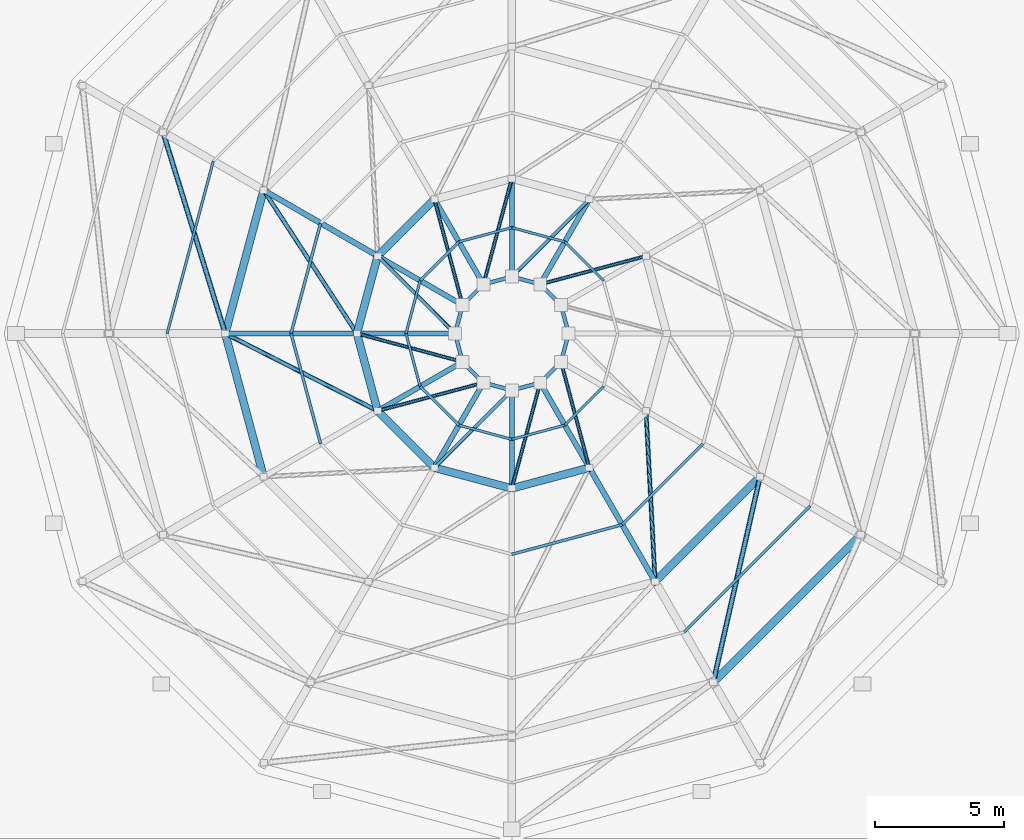
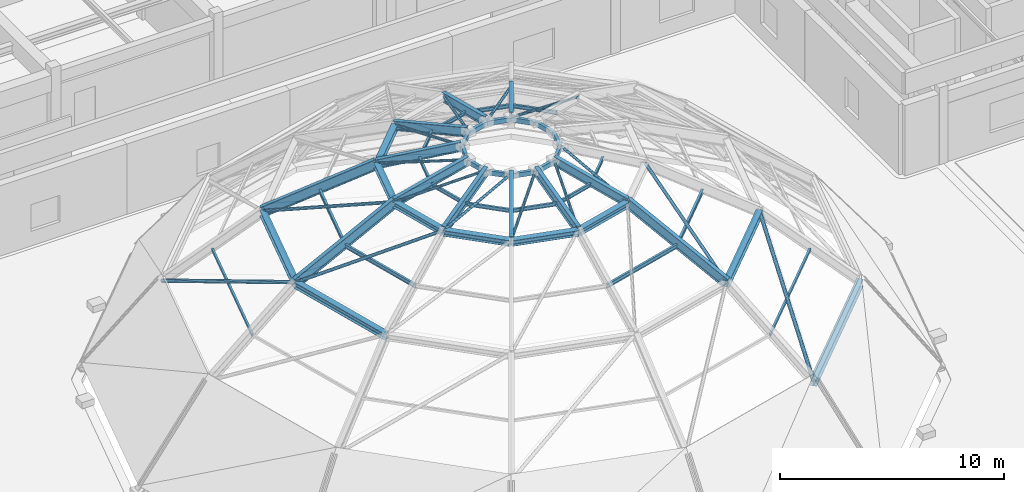
# One storey, part 2 of 18: 43 members, 22 beams.
"""IFC4 building model written with IfcOpenShell, lengths in metres."""

from ifc_helpers import new_model, si_unit, direction, frame, origin, origin_2d, place, context, subcontext, project, spatial, hollow_rectangle, hollow_circle, i_section, extrude, material, material_profile, profile_set, type_object, element, save


model = new_model("IFC4")

# Units and contexts
model_context = context("Model", 3, precision=1e-05, world=origin(), true_north=direction((0.0, 1.0)))
body_context = subcontext(model_context, "Body", "Model", "MODEL_VIEW")
ifc_project = project(units=[si_unit("LENGTHUNIT", "METRE"), si_unit("AREAUNIT", "SQUARE_METRE"), si_unit("VOLUMEUNIT", "CUBIC_METRE"), si_unit("PLANEANGLEUNIT", "RADIAN"), si_unit("MASSUNIT", "GRAM", prefix="KILO")], contexts=[model_context])

# Site, building, storey
site_placement = place(None, origin())
site = spatial("IfcSite", under=ifc_project, at=site_placement, CompositionType="ELEMENT")
building_placement = place(site_placement, origin())
building = spatial("IfcBuilding", under=site, at=building_placement, Name="Korsvaeld Concert Hall", CompositionType="ELEMENT")
storey_placement = place(building_placement, frame((0.0, 0.0, 17.39990234375)))
storey = spatial("IfcBuildingStorey", under=building, at=storey_placement, Name="L04", CompositionType="ELEMENT", Elevation=17.39990234375)

# Beams
ifc_material = material(Name="Steel S355J2", Category="steel")
ifc_material_profile_1 = material_profile(ifc_material, i_section(OverallWidth=0.300048828125, OverallDepth=0.31005859375, WebThickness=0.009033203125, FlangeThickness=0.015380859375, FilletRadius=0.027099609375, at=origin_2d()), Name="HEA 320")
ifc_profile_set_1 = profile_set([ifc_material_profile_1], Name="Steel S355J2")
beam_type_1 = type_object("IfcBeamType", Name="BM-RING-HEA320", PredefinedType="USERDEFINED", material=ifc_profile_set_1)
beam_1_placement = place(storey_placement, frame((81.0, 68.396240234375, 11.760009765625), z_axis=(-0.707106781187, -0.707106781187, 0.0), x_axis=(0.707106781187, -0.707106781187, 0.0)))
element("IfcBeam", 1, at=beam_1_placement, inside=storey, type_object=beam_type_1, Name="Dome latitude ring beam T3.B05", ObjectType="RING BEAM", PredefinedType="USERDEFINED", context=body_context, shape_type="SweptSolid", body=[
    extrude(i_section(OverallWidth=0.300048828125, OverallDepth=0.31005859375, WebThickness=0.009033203125, FlangeThickness=0.015380859375, FilletRadius=0.027099609375, at=origin_2d()), origin(), (0.0, 0.0, 1.0), 3.10595703125),
])
for number, where, z_axis, x_axis, name in (
    (2, (78.8037109375, 66.199951171875, 11.760009765625), (-0.258777996848, -0.965936824201, 0.0), (0.965936824201, -0.258777996848, 0.0), "Dome latitude ring beam T3.B06"),
    (3, (78.0, 63.199951171875, 11.760009765625), (0.258777996848, -0.965936824201, 0.0), (0.965936824201, 0.258777996848, 0.0), "Dome latitude ring beam T3.B07"),
):
    element("IfcBeam", number, at=place(storey_placement, frame(where, z_axis=z_axis, x_axis=x_axis)), inside=storey, type_object=beam_type_1, Name=name, ObjectType="RING BEAM", PredefinedType="USERDEFINED", context=body_context, shape_type="SweptSolid", body=[
        extrude(i_section(OverallWidth=0.300048828125, OverallDepth=0.31005859375, WebThickness=0.009033203125, FlangeThickness=0.015380859375, FilletRadius=0.027099609375, at=origin_2d()), origin(), (0.0, 0.0, 1.0), 3.105712890625),
    ])
for number, where, z_axis, x_axis, name in (
    (4, (78.8037109375, 60.199951171875, 11.760009765625), (0.707146083456, -0.707067476733, 0.0), (0.707067476733, 0.707146083456, 0.0), "Dome latitude ring beam T3.B08"),
    (5, (81.0, 58.00390625, 11.760009765625), (0.965917172674, -0.258851338673, 0.0), (0.258851338673, 0.965917172674, 0.0), "Dome latitude ring beam T3.B09"),
    (6, (84.0, 57.199951171875, 11.760009765625), (0.965917172674, 0.258851338673, 0.0), (-0.258851338673, 0.965917172674, 0.0), "Dome latitude ring beam T3.B10"),
):
    element("IfcBeam", number, at=place(storey_placement, frame(where, z_axis=z_axis, x_axis=x_axis)), inside=storey, type_object=beam_type_1, Name=name, ObjectType="RING BEAM", PredefinedType="USERDEFINED", context=body_context, shape_type="SweptSolid", body=[
        extrude(i_section(OverallWidth=0.300048828125, OverallDepth=0.31005859375, WebThickness=0.009033203125, FlangeThickness=0.015380859375, FilletRadius=0.027099609375, at=origin_2d()), origin(), (0.0, 0.0, 1.0), 3.10595703125),
    ])
ifc_material_profile_2 = material_profile(ifc_material, i_section(OverallWidth=0.300048828125, OverallDepth=0.340087890625, WebThickness=0.011962890625, FlangeThickness=0.021484375, FilletRadius=0.027099609375, at=origin_2d()), Name="HEB 340")
ifc_profile_set_2 = profile_set([ifc_material_profile_2], Name="Steel S355J2")
beam_type_2 = type_object("IfcBeamType", Name="BM-RING-HEB340", PredefinedType="USERDEFINED", material=ifc_profile_set_2)
for number, where, z_axis, x_axis, name in (
    (7, (74.38720703125, 68.75, 9.16015625), (-0.258847231804, -0.965918273244, 0.0), (0.965918273244, -0.258847231804, 0.0), "Dome latitude ring beam T2.B06"),
    (8, (72.89990234375, 63.199951171875, 9.16015625), (0.258847231804, -0.965918273244, 0.0), (0.965918273244, 0.258847231804, 0.0), "Dome latitude ring beam T2.B07"),
):
    element("IfcBeam", number, at=place(storey_placement, frame(where, z_axis=z_axis, x_axis=x_axis)), inside=storey, type_object=beam_type_2, Name=name, ObjectType="RING BEAM", PredefinedType="USERDEFINED", context=body_context, shape_type="SweptSolid", body=[
        extrude(i_section(OverallWidth=0.300048828125, OverallDepth=0.340087890625, WebThickness=0.011962890625, FlangeThickness=0.021484375, FilletRadius=0.027099609375, at=origin_2d()), origin(), (0.0, 0.0, 1.0), 5.745849609375),
    ])
beam_2_placement = place(storey_placement, frame((89.550048828125, 53.587158203125, 9.16015625), z_axis=(0.707106781187, 0.707106781187, 0.0), x_axis=(-0.707106781187, 0.707106781187, 0.0)))
element("IfcBeam", 9, at=beam_2_placement, inside=storey, type_object=beam_type_2, Name="Dome latitude ring beam T2.B11", ObjectType="RING BEAM", PredefinedType="USERDEFINED", context=body_context, shape_type="SweptSolid", body=[
    extrude(i_section(OverallWidth=0.300048828125, OverallDepth=0.340087890625, WebThickness=0.011962890625, FlangeThickness=0.021484375, FilletRadius=0.027099609375, at=origin_2d()), origin(), (0.0, 0.0, 1.0), 5.74560546875),
])
ifc_material_profile_3 = material_profile(ifc_material, i_section(OverallWidth=0.300048828125, OverallDepth=0.39990234375, WebThickness=0.013427734375, FlangeThickness=0.02392578125, FilletRadius=0.027099609375, at=origin_2d()), Name="HEB 400")
ifc_profile_set_3 = profile_set([ifc_material_profile_3], Name="Steel S355J2")
beam_type_3 = type_object("IfcBeamType", Name="BM-RING-HEB400", PredefinedType="USERDEFINED", material=ifc_profile_set_3)
beam_3_placement = place(storey_placement, frame((91.800048828125, 49.68994140625, 5.360107421875), z_axis=(0.707106781187, 0.707106781187, 0.0), x_axis=(-0.707106781187, 0.707106781187, 0.0)))
element("IfcBeam", 10, at=beam_3_placement, inside=storey, type_object=beam_type_3, Name="Dome latitude ring beam T1.B11", ObjectType="RING BEAM", PredefinedType="USERDEFINED", context=body_context, shape_type="SweptSolid", body=[
    extrude(i_section(OverallWidth=0.300048828125, OverallDepth=0.39990234375, WebThickness=0.013427734375, FlangeThickness=0.02392578125, FilletRadius=0.027099609375, at=origin_2d()), origin(), (0.0, 0.0, 1.0), 8.0751953125),
])
ifc_material_profile_4 = material_profile(ifc_material, hollow_rectangle(XDim=0.14990234375, YDim=0.25, WallThickness=0.010009765625, at=origin_2d()), Name="RHS 250x150x10")
ifc_profile_set_4 = profile_set([ifc_material_profile_4], Name="Steel S355J2")
beam_type_4 = type_object("IfcBeamType", Name="BM-RING-RHS250", PredefinedType="USERDEFINED", material=ifc_profile_set_4)
beam_4_placement = place(storey_placement, frame((86.199951171875, 63.199951171875, 12.72998046875), z_axis=(-0.25874322872, 0.965946138039, 0.0), x_axis=(-0.965946138039, -0.25874322872, 0.0)))
element("IfcBeam", 11, at=beam_4_placement, inside=storey, type_object=beam_type_4, Name="Dome latitude ring beam T4.B01", ObjectType="RING BEAM", PredefinedType="USERDEFINED", context=body_context, shape_type="SweptSolid", body=[
    extrude(hollow_rectangle(XDim=0.14990234375, YDim=0.25, WallThickness=0.010009765625, at=origin_2d()), origin(), (0.0, 0.0, 1.0), 1.138916015625),
])
beam_5_placement = place(storey_placement, frame((85.9052734375, 64.300048828125, 12.72998046875), z_axis=(-0.707106781187, 0.707106781187, 0.0), x_axis=(-0.707106781187, -0.707106781187, 0.0)))
element("IfcBeam", 12, at=beam_5_placement, inside=storey, type_object=beam_type_4, Name="Dome latitude ring beam T4.B02", ObjectType="RING BEAM", PredefinedType="USERDEFINED", context=body_context, shape_type="SweptSolid", body=[
    extrude(hollow_rectangle(XDim=0.14990234375, YDim=0.25, WallThickness=0.010009765625, at=origin_2d()), origin(), (0.0, 0.0, 1.0), 1.138671875),
])
for number, where, z_axis, x_axis, name in (
    (13, (85.10009765625, 65.105224609375, 12.72998046875), (-0.965946138039, 0.25874322872, 0.0), (-0.25874322872, -0.965946138039, 0.0), "Dome latitude ring beam T4.B03"),
    (14, (84.0, 65.39990234375, 12.72998046875), (-0.965946138039, -0.25874322872, 0.0), (0.25874322872, -0.965946138039, 0.0), "Dome latitude ring beam T4.B04"),
):
    element("IfcBeam", number, at=place(storey_placement, frame(where, z_axis=z_axis, x_axis=x_axis)), inside=storey, type_object=beam_type_4, Name=name, ObjectType="RING BEAM", PredefinedType="USERDEFINED", context=body_context, shape_type="SweptSolid", body=[
        extrude(hollow_rectangle(XDim=0.14990234375, YDim=0.25, WallThickness=0.010009765625, at=origin_2d()), origin(), (0.0, 0.0, 1.0), 1.138916015625),
    ])
beam_6_placement = place(storey_placement, frame((82.89990234375, 65.105224609375, 12.72998046875), z_axis=(-0.707106781187, -0.707106781187, 0.0), x_axis=(0.707106781187, -0.707106781187, 0.0)))
element("IfcBeam", 15, at=beam_6_placement, inside=storey, type_object=beam_type_4, Name="Dome latitude ring beam T4.B05", ObjectType="RING BEAM", PredefinedType="USERDEFINED", context=body_context, shape_type="SweptSolid", body=[
    extrude(hollow_rectangle(XDim=0.14990234375, YDim=0.25, WallThickness=0.010009765625, at=origin_2d()), origin(), (0.0, 0.0, 1.0), 1.138671875),
])
beam_7_placement = place(storey_placement, frame((82.0947265625, 64.300048828125, 12.72998046875), z_axis=(-0.25874322872, -0.965946138039, 0.0), x_axis=(0.965946138039, -0.25874322872, 0.0)))
element("IfcBeam", 16, at=beam_7_placement, inside=storey, type_object=beam_type_4, Name="Dome latitude ring beam T4.B06", ObjectType="RING BEAM", PredefinedType="USERDEFINED", context=body_context, shape_type="SweptSolid", body=[
    extrude(hollow_rectangle(XDim=0.14990234375, YDim=0.25, WallThickness=0.010009765625, at=origin_2d()), origin(), (0.0, 0.0, 1.0), 1.138916015625),
])
beam_8_placement = place(storey_placement, frame((81.800048828125, 63.199951171875, 12.72998046875), z_axis=(0.258796817064, -0.965931782, 0.0), x_axis=(0.965931782, 0.258796817064, 0.0)))
element("IfcBeam", 17, at=beam_8_placement, inside=storey, type_object=beam_type_4, Name="Dome latitude ring beam T4.B07", ObjectType="RING BEAM", PredefinedType="USERDEFINED", context=body_context, shape_type="SweptSolid", body=[
    extrude(hollow_rectangle(XDim=0.14990234375, YDim=0.25, WallThickness=0.010009765625, at=origin_2d()), origin(), (0.0, 0.0, 1.0), 1.138671875),
])
for number, where, z_axis, x_axis, name in (
    (18, (82.0947265625, 62.10009765625, 12.72998046875), (0.706999586952, -0.707213959174, 0.0), (0.707213959174, 0.706999586952, 0.0), "Dome latitude ring beam T4.B08"),
    (19, (82.89990234375, 61.294677734375, 12.72998046875), (0.965946138039, -0.25874322872, 0.0), (0.25874322872, 0.965946138039, 0.0), "Dome latitude ring beam T4.B09"),
    (20, (84.0, 61.0, 12.72998046875), (0.965946138039, 0.25874322872, 0.0), (-0.25874322872, 0.965946138039, 0.0), "Dome latitude ring beam T4.B10"),
    (21, (85.10009765625, 61.294677734375, 12.72998046875), (0.706999586952, 0.707213959174, 0.0), (-0.707213959174, 0.706999586952, 0.0), "Dome latitude ring beam T4.B11"),
):
    element("IfcBeam", number, at=place(storey_placement, frame(where, z_axis=z_axis, x_axis=x_axis)), inside=storey, type_object=beam_type_4, Name=name, ObjectType="RING BEAM", PredefinedType="USERDEFINED", context=body_context, shape_type="SweptSolid", body=[
        extrude(hollow_rectangle(XDim=0.14990234375, YDim=0.25, WallThickness=0.010009765625, at=origin_2d()), origin(), (0.0, 0.0, 1.0), 1.138916015625),
    ])
beam_9_placement = place(storey_placement, frame((85.9052734375, 62.10009765625, 12.72998046875), z_axis=(0.258796817064, 0.965931782, 0.0), x_axis=(-0.965931782, 0.258796817064, 0.0)))
element("IfcBeam", 22, at=beam_9_placement, inside=storey, type_object=beam_type_4, Name="Dome latitude ring beam T4.B12", ObjectType="RING BEAM", PredefinedType="USERDEFINED", context=body_context, shape_type="SweptSolid", body=[
    extrude(hollow_rectangle(XDim=0.14990234375, YDim=0.25, WallThickness=0.010009765625, at=origin_2d()), origin(), (0.0, 0.0, 1.0), 1.138671875),
])

# Members
ifc_material_profile_5 = material_profile(ifc_material, hollow_circle(Radius=0.06982421875, WallThickness=0.008056640625, at=origin_2d()), Name="CHS 139.7x8")
ifc_profile_set_5 = profile_set([ifc_material_profile_5], Name="Steel S355J2")
member_type_1 = type_object("IfcMemberType", Name="MEM-BRC-CHS139", PredefinedType="BRACE", material=ifc_profile_set_5)
for number, where, z_axis, x_axis, name in (
    (23, (89.1962890625, 66.199951171875, 11.85009765625), (-0.941763854728, -0.251690852581, 0.223007974421), (0.258193025562, -0.96609335033, 0.0), "Dome diagonal brace T4.B02"),
    (24, (87.0, 68.396240234375, 11.85009765625), (-0.689721078239, -0.688879133564, 0.22300307974), (0.70667480209, -0.707538496544, 0.0), "Dome diagonal brace T4.B03"),
):
    element("IfcMember", number, at=place(storey_placement, frame(where, z_axis=z_axis, x_axis=x_axis)), inside=storey, type_object=member_type_1, Name=name, PredefinedType="BRACE", context=body_context, shape_type="SweptSolid", body=[
        extrude(hollow_circle(Radius=0.06982421875, WallThickness=0.008056640625, at=origin_2d()), origin(), (0.0, 0.0, 1.0), 4.349609375),
    ])
member_1_placement = place(storey_placement, frame((84.0, 69.199951171875, 11.85009765625), z_axis=(-0.252927134408, -0.9414322899, 0.223009211052), x_axis=(0.965753500141, -0.259461320751, 0.0)))
element("IfcMember", 25, at=member_1_placement, inside=storey, type_object=member_type_1, Name="Dome diagonal brace T4.B04", PredefinedType="BRACE", context=body_context, shape_type="SweptSolid", body=[
    extrude(hollow_circle(Radius=0.06982421875, WallThickness=0.008056640625, at=origin_2d()), origin(), (0.0, 0.0, 1.0), 4.349365234375),
])
for number, where, z_axis, x_axis, name in (
    (26, (81.0, 68.396240234375, 11.85009765625), (0.251690852581, -0.941763854728, 0.223007974421), (0.96609335033, 0.258193025562, 0.0), "Dome diagonal brace T4.B05"),
    (27, (78.8037109375, 66.199951171875, 11.85009765625), (0.688879133564, -0.689721078239, 0.22300307974), (0.707538496544, 0.70667480209, 0.0), "Dome diagonal brace T4.B06"),
):
    element("IfcMember", number, at=place(storey_placement, frame(where, z_axis=z_axis, x_axis=x_axis)), inside=storey, type_object=member_type_1, Name=name, PredefinedType="BRACE", context=body_context, shape_type="SweptSolid", body=[
        extrude(hollow_circle(Radius=0.06982421875, WallThickness=0.008056640625, at=origin_2d()), origin(), (0.0, 0.0, 1.0), 4.349609375),
    ])
member_2_placement = place(storey_placement, frame((78.0, 63.199951171875, 11.85009765625), z_axis=(0.94144565431, -0.252874592933, 0.223012376853), x_axis=(0.259407614634, 0.965767927335, 0.0)))
element("IfcMember", 28, at=member_2_placement, inside=storey, type_object=member_type_1, Name="Dome diagonal brace T4.B07", PredefinedType="BRACE", context=body_context, shape_type="SweptSolid", body=[
    extrude(hollow_circle(Radius=0.06982421875, WallThickness=0.008056640625, at=origin_2d()), origin(), (0.0, 0.0, 1.0), 4.349365234375),
])
member_3_placement = place(storey_placement, frame((78.8037109375, 60.199951171875, 11.85009765625), z_axis=(0.941763854728, 0.251690852581, 0.223007974421), x_axis=(-0.258193025562, 0.96609335033, 0.0)))
element("IfcMember", 29, at=member_3_placement, inside=storey, type_object=member_type_1, Name="Dome diagonal brace T4.B08", PredefinedType="BRACE", context=body_context, shape_type="SweptSolid", body=[
    extrude(hollow_circle(Radius=0.06982421875, WallThickness=0.008056640625, at=origin_2d()), origin(), (0.0, 0.0, 1.0), 4.349609375),
])
for number, where, z_axis, x_axis, name in (
    (30, (81.0, 58.00390625, 11.85009765625), (0.689747747828, 0.688849638781, 0.223011702647), (-0.70664597535, 0.707567286922, 0.0), "Dome diagonal brace T4.B09"),
    (31, (84.0, 57.199951171875, 11.85009765625), (0.252927134408, 0.9414322899, 0.223009211052), (-0.965753500141, 0.259461320751, 0.0), "Dome diagonal brace T4.B10"),
):
    element("IfcMember", number, at=place(storey_placement, frame(where, z_axis=z_axis, x_axis=x_axis)), inside=storey, type_object=member_type_1, Name=name, PredefinedType="BRACE", context=body_context, shape_type="SweptSolid", body=[
        extrude(hollow_circle(Radius=0.06982421875, WallThickness=0.008056640625, at=origin_2d()), origin(), (0.0, 0.0, 1.0), 4.349365234375),
    ])
member_4_placement = place(storey_placement, frame((87.0, 58.00390625, 11.85009765625), z_axis=(-0.251690852581, 0.941763854728, 0.223007974421), x_axis=(-0.96609335033, -0.258193025562, 0.0)))
element("IfcMember", 32, at=member_4_placement, inside=storey, type_object=member_type_1, Name="Dome diagonal brace T4.B11", PredefinedType="BRACE", context=body_context, shape_type="SweptSolid", body=[
    extrude(hollow_circle(Radius=0.06982421875, WallThickness=0.008056640625, at=origin_2d()), origin(), (0.0, 0.0, 1.0), 4.349609375),
])
ifc_material_profile_6 = material_profile(ifc_material, hollow_circle(Radius=0.084228515625, WallThickness=0.008056640625, at=origin_2d()), Name="CHS 168.3x8")
ifc_profile_set_6 = profile_set([ifc_material_profile_6], Name="Steel S355J2")
member_type_2 = type_object("IfcMemberType", Name="MEM-BRC-CHS168", PredefinedType="BRACE", material=ifc_profile_set_6)
for number, where, z_axis, x_axis, name in (
    (33, (74.38720703125, 68.75, 9.25), (0.507808451123, -0.78010606294, 0.365465603761), (0.838080404655, 0.54554673066, 0.0), "Dome diagonal brace T3.B06"),
    (34, (72.89990234375, 63.199951171875, 9.25), (0.82983291849, -0.421676738996, 0.365466900253), (0.453014304211, 0.891503247431, 0.0), "Dome diagonal brace T3.B07"),
    (35, (89.550048828125, 53.587158203125, 9.25), (-0.049724470809, 0.929494145163, 0.365469712988), (-0.998572138503, -0.053419885871, 0.0), "Dome diagonal brace T3.B11"),
):
    element("IfcMember", number, at=place(storey_placement, frame(where, z_axis=z_axis, x_axis=x_axis)), inside=storey, type_object=member_type_2, Name=name, PredefinedType="BRACE", context=body_context, shape_type="SweptSolid", body=[
        extrude(hollow_circle(Radius=0.084228515625, WallThickness=0.008056640625, at=origin_2d()), origin(), (0.0, 0.0, 1.0), 7.114501953125),
    ])
ifc_material_profile_7 = material_profile(ifc_material, hollow_circle(Radius=0.096923828125, WallThickness=0.010009765625, at=origin_2d()), Name="CHS 193.7x10")
ifc_profile_set_7 = profile_set([ifc_material_profile_7], Name="Steel S355J2")
member_type_3 = type_object("IfcMemberType", Name="MEM-BRC-CHS193", PredefinedType="BRACE", material=ifc_profile_set_7)
member_5_placement = place(storey_placement, frame((70.489990234375, 71.0, 5.4501953125), z_axis=(0.267624402857, -0.866207278582, 0.421974086321), x_axis=(0.95543761078, 0.295193109519, 0.0)))
element("IfcMember", 36, at=member_5_placement, inside=storey, type_object=member_type_3, Name="Dome diagonal brace T2.B06", PredefinedType="BRACE", context=body_context, shape_type="SweptSolid", body=[
    extrude(hollow_circle(Radius=0.096923828125, WallThickness=0.010009765625, at=origin_2d()), origin(), (0.0, 0.0, 1.0), 9.0048828125),
])
member_6_placement = place(storey_placement, frame((91.800048828125, 49.68994140625, 5.4501953125), z_axis=(0.201309753228, 0.883973494175, 0.421977777676), x_axis=(-0.975035819635, 0.22204763099, 0.0)))
element("IfcMember", 37, at=member_6_placement, inside=storey, type_object=member_type_3, Name="Dome diagonal brace T2.B11", PredefinedType="BRACE", context=body_context, shape_type="SweptSolid", body=[
    extrude(hollow_circle(Radius=0.096923828125, WallThickness=0.010009765625, at=origin_2d()), origin(), (0.0, 0.0, 1.0), 9.004638671875),
])
ifc_material_profile_8 = material_profile(ifc_material, i_section(OverallWidth=0.10009765625, OverallDepth=0.199951171875, WebThickness=0.005615234375, FlangeThickness=0.008544921875, FilletRadius=0.011962890625, at=origin_2d()), Name="IPE 200")
ifc_profile_set_8 = profile_set([ifc_material_profile_8], Name="Steel S355J2")
member_type_4 = type_object("IfcMemberType", Name="MEM-PUR-IPE200", PredefinedType="PURLIN", material=ifc_profile_set_8)
for number, where, z_axis, x_axis, name in (
    (38, (87.55078125, 65.25, 12.135009765625), (-0.707106781187, 0.707106781187, 0.0), (-0.707106781187, -0.707106781187, 0.0), "Dome hoop purlin T4.B02"),
    (39, (86.050048828125, 66.750732421875, 12.135009765625), (-0.965924945392, 0.258822332634, 0.0), (-0.258822332634, -0.965924945392, 0.0), "Dome hoop purlin T4.B03"),
    (40, (84.0, 67.300048828125, 12.135009765625), (-0.965924945392, -0.258822332634, 0.0), (0.258822332634, -0.965924945392, 0.0), "Dome hoop purlin T4.B04"),
    (41, (81.949951171875, 66.750732421875, 12.135009765625), (-0.707106781187, -0.707106781187, 0.0), (0.707106781187, -0.707106781187, 0.0), "Dome hoop purlin T4.B05"),
    (42, (80.44921875, 65.25, 12.135009765625), (-0.258822332634, -0.965924945392, 0.0), (0.965924945392, -0.258822332634, 0.0), "Dome hoop purlin T4.B06"),
    (43, (79.89990234375, 63.199951171875, 12.135009765625), (0.258822332634, -0.965924945392, 0.0), (0.965924945392, 0.258822332634, 0.0), "Dome hoop purlin T4.B07"),
):
    element("IfcMember", number, at=place(storey_placement, frame(where, z_axis=z_axis, x_axis=x_axis)), inside=storey, type_object=member_type_4, Name=name, PredefinedType="PURLIN", context=body_context, shape_type="SweptSolid", body=[
        extrude(i_section(OverallWidth=0.10009765625, OverallDepth=0.199951171875, WebThickness=0.005615234375, FlangeThickness=0.008544921875, FilletRadius=0.011962890625, at=origin_2d()), origin(), (0.0, 0.0, 1.0), 2.122314453125),
    ])
member_7_placement = place(storey_placement, frame((80.44921875, 61.14990234375, 12.135009765625), z_axis=(0.707164299939, -0.707049257755, 0.0), x_axis=(0.707049257755, 0.707164299939, 0.0)))
element("IfcMember", 44, at=member_7_placement, inside=storey, type_object=member_type_4, Name="Dome hoop purlin T4.B08", PredefinedType="PURLIN", context=body_context, shape_type="SweptSolid", body=[
    extrude(i_section(OverallWidth=0.10009765625, OverallDepth=0.199951171875, WebThickness=0.005615234375, FlangeThickness=0.008544921875, FilletRadius=0.011962890625, at=origin_2d()), origin(), (0.0, 0.0, 1.0), 2.1220703125),
])
for number, where, z_axis, x_axis, name in (
    (45, (81.949951171875, 59.6494140625, 12.135009765625), (0.965924945392, -0.258822332634, 0.0), (0.258822332634, 0.965924945392, 0.0), "Dome hoop purlin T4.B09"),
    (46, (84.0, 59.10009765625, 12.135009765625), (0.965924945392, 0.258822332634, 0.0), (-0.258822332634, 0.965924945392, 0.0), "Dome hoop purlin T4.B10"),
):
    element("IfcMember", number, at=place(storey_placement, frame(where, z_axis=z_axis, x_axis=x_axis)), inside=storey, type_object=member_type_4, Name=name, PredefinedType="PURLIN", context=body_context, shape_type="SweptSolid", body=[
        extrude(i_section(OverallWidth=0.10009765625, OverallDepth=0.199951171875, WebThickness=0.005615234375, FlangeThickness=0.008544921875, FilletRadius=0.011962890625, at=origin_2d()), origin(), (0.0, 0.0, 1.0), 2.122314453125),
    ])
member_8_placement = place(storey_placement, frame((86.050048828125, 59.6494140625, 12.135009765625), z_axis=(0.707164299939, 0.707049257755, 0.0), x_axis=(-0.707049257755, 0.707164299939, 0.0)))
element("IfcMember", 47, at=member_8_placement, inside=storey, type_object=member_type_4, Name="Dome hoop purlin T4.B11", PredefinedType="PURLIN", context=body_context, shape_type="SweptSolid", body=[
    extrude(i_section(OverallWidth=0.10009765625, OverallDepth=0.199951171875, WebThickness=0.005615234375, FlangeThickness=0.008544921875, FilletRadius=0.011962890625, at=origin_2d()), origin(), (0.0, 0.0, 1.0), 2.1220703125),
])
ifc_material_profile_9 = material_profile(ifc_material, i_section(OverallWidth=0.110107421875, OverallDepth=0.219970703125, WebThickness=0.005859375, FlangeThickness=0.00927734375, FilletRadius=0.011962890625, at=origin_2d()), Name="IPE 220")
ifc_profile_set_9 = profile_set([ifc_material_profile_9], Name="Steel S355J2")
member_type_5 = type_object("IfcMemberType", Name="MEM-PUR-IPE220", PredefinedType="PURLIN", material=ifc_profile_set_9)
member_9_placement = place(storey_placement, frame((76.595458984375, 67.47509765625, 10.35009765625), z_axis=(-0.258816044185, -0.965926630377, 0.0), x_axis=(0.965926630377, -0.258816044185, 0.0)))
element("IfcMember", 48, at=member_9_placement, inside=storey, type_object=member_type_5, Name="Dome hoop purlin T3.B06", PredefinedType="PURLIN", context=body_context, shape_type="SweptSolid", body=[
    extrude(i_section(OverallWidth=0.110107421875, OverallDepth=0.219970703125, WebThickness=0.005859375, FlangeThickness=0.00927734375, FilletRadius=0.011962890625, at=origin_2d()), origin(), (0.0, 0.0, 1.0), 4.426025390625),
])
for number, where, z_axis, x_axis, name in (
    (49, (75.449951171875, 63.199951171875, 10.35009765625), (0.258829835029, -0.965922935072, 0.0), (0.965922935072, 0.258829835029, 0.0), "Dome hoop purlin T3.B07"),
    (50, (84.0, 54.64990234375, 10.35009765625), (0.965922935072, 0.258829835029, 0.0), (-0.258829835029, 0.965922935072, 0.0), "Dome hoop purlin T3.B10"),
):
    element("IfcMember", number, at=place(storey_placement, frame(where, z_axis=z_axis, x_axis=x_axis)), inside=storey, type_object=member_type_5, Name=name, PredefinedType="PURLIN", context=body_context, shape_type="SweptSolid", body=[
        extrude(i_section(OverallWidth=0.110107421875, OverallDepth=0.219970703125, WebThickness=0.005859375, FlangeThickness=0.00927734375, FilletRadius=0.011962890625, at=origin_2d()), origin(), (0.0, 0.0, 1.0), 4.42578125),
    ])
member_10_placement = place(storey_placement, frame((88.27490234375, 55.79541015625, 10.35009765625), z_axis=(0.707106781187, 0.707106781187, 0.0), x_axis=(-0.707106781187, 0.707106781187, 0.0)))
element("IfcMember", 51, at=member_10_placement, inside=storey, type_object=member_type_5, Name="Dome hoop purlin T3.B11", PredefinedType="PURLIN", context=body_context, shape_type="SweptSolid", body=[
    extrude(i_section(OverallWidth=0.110107421875, OverallDepth=0.219970703125, WebThickness=0.005859375, FlangeThickness=0.00927734375, FilletRadius=0.011962890625, at=origin_2d()), origin(), (0.0, 0.0, 1.0), 4.426025390625),
])
ifc_material_profile_10 = material_profile(ifc_material, hollow_rectangle(XDim=0.10009765625, YDim=0.14990234375, WallThickness=0.008056640625, at=origin_2d()), Name="RHS 150x100x8")
ifc_profile_set_10 = profile_set([ifc_material_profile_10], Name="Steel S355J2")
member_type_6 = type_object("IfcMemberType", Name="MEM-PUR-RHS150", PredefinedType="PURLIN", material=ifc_profile_set_10)
member_11_placement = place(storey_placement, frame((72.438720703125, 69.875, 7.150146484375), z_axis=(-0.258852044145, -0.965916983618, 0.0), x_axis=(0.965916983618, -0.258852044145, 0.0)))
element("IfcMember", 52, at=member_11_placement, inside=storey, type_object=member_type_6, Name="Dome hoop purlin T2.B06", PredefinedType="PURLIN", context=body_context, shape_type="SweptSolid", body=[
    extrude(hollow_rectangle(XDim=0.10009765625, YDim=0.14990234375, WallThickness=0.008056640625, at=origin_2d()), origin(), (0.0, 0.0, 1.0), 6.91064453125),
])
member_12_placement = place(storey_placement, frame((90.675048828125, 51.638671875, 7.150146484375), z_axis=(0.707106781187, 0.707106781187, 0.0), x_axis=(-0.707106781187, 0.707106781187, 0.0)))
element("IfcMember", 53, at=member_12_placement, inside=storey, type_object=member_type_6, Name="Dome hoop purlin T2.B11", PredefinedType="PURLIN", context=body_context, shape_type="SweptSolid", body=[
    extrude(hollow_rectangle(XDim=0.10009765625, YDim=0.14990234375, WallThickness=0.008056640625, at=origin_2d()), origin(), (0.0, 0.0, 1.0), 6.91015625),
])
ifc_material_profile_11 = material_profile(ifc_material, i_section(OverallWidth=0.199951171875, OverallDepth=0.5, WebThickness=0.01025390625, FlangeThickness=0.01611328125, FilletRadius=0.02099609375, at=origin_2d()), Name="IPE 500")
ifc_profile_set_11 = profile_set([ifc_material_profile_11], Name="Steel S355J2")
member_type_7 = type_object("IfcMemberType", Name="MEM-RIB-IPE500", PredefinedType="USERDEFINED", material=ifc_profile_set_11)
for number, where, z_axis, x_axis, name in (
    (54, (87.0, 68.396240234375, 11.85009765625), (-0.484434850905, -0.839139268852, 0.247321981836), (0.866044365799, -0.499967155389, 0.0), "Main Hall radial steel dome rib B03.4"),
    (55, (84.0, 69.199951171875, 11.85009765625), (0.0, -0.968933264788, 0.247322316801), (1.0, 0.0, 0.0), "Main Hall radial steel dome rib B04.4"),
    (56, (81.0, 68.396240234375, 11.85009765625), (0.484434850905, -0.839139268852, 0.247321981836), (0.866044365799, 0.499967155389, 0.0), "Main Hall radial steel dome rib B05.4"),
    (57, (78.8037109375, 66.199951171875, 11.85009765625), (0.839139268852, -0.484434850905, 0.247321981836), (0.499967155389, 0.866044365799, 0.0), "Main Hall radial steel dome rib B06.4"),
    (58, (78.0, 63.199951171875, 11.85009765625), (0.968933264788, 0.0, 0.247322316801), (0.0, 1.0, 0.0), "Main Hall radial steel dome rib B07.4"),
):
    element("IfcMember", number, at=place(storey_placement, frame(where, z_axis=z_axis, x_axis=x_axis)), inside=storey, type_object=member_type_7, Name=name, ObjectType="ARCH SEGMENT", PredefinedType="USERDEFINED", context=body_context, shape_type="SweptSolid", body=[
        extrude(i_section(OverallWidth=0.199951171875, OverallDepth=0.5, WebThickness=0.01025390625, FlangeThickness=0.01611328125, FilletRadius=0.02099609375, at=origin_2d()), origin(), (0.0, 0.0, 1.0), 3.921875),
    ])
member_13_placement = place(storey_placement, frame((78.8037109375, 60.199951171875, 11.85009765625), z_axis=(0.839113962949, 0.484482490626, 0.247314523353), x_axis=(-0.500015340139, 0.86601654697, 0.0)))
element("IfcMember", 59, at=member_13_placement, inside=storey, type_object=member_type_7, Name="Main Hall radial steel dome rib B08.4", ObjectType="ARCH SEGMENT", PredefinedType="USERDEFINED", context=body_context, shape_type="SweptSolid", body=[
    extrude(i_section(OverallWidth=0.199951171875, OverallDepth=0.5, WebThickness=0.01025390625, FlangeThickness=0.01611328125, FilletRadius=0.02099609375, at=origin_2d()), origin(), (0.0, 0.0, 1.0), 3.922119140625),
])
member_14_placement = place(storey_placement, frame((81.0, 58.00390625, 11.85009765625), z_axis=(0.484460157371, 0.839120850836, 0.247334901727), x_axis=(-0.866028304915, 0.499994975061, 0.0)))
element("IfcMember", 60, at=member_14_placement, inside=storey, type_object=member_type_7, Name="Main Hall radial steel dome rib B09.4", ObjectType="ARCH SEGMENT", PredefinedType="USERDEFINED", context=body_context, shape_type="SweptSolid", body=[
    extrude(i_section(OverallWidth=0.199951171875, OverallDepth=0.5, WebThickness=0.01025390625, FlangeThickness=0.01611328125, FilletRadius=0.02099609375, at=origin_2d()), origin(), (0.0, 0.0, 1.0), 3.921630859375),
])
member_15_placement = place(storey_placement, frame((84.0, 57.199951171875, 11.85009765625), z_axis=(0.0, 0.968933264788, 0.247322316801), x_axis=(-1.0, 0.0, 0.0)))
element("IfcMember", 61, at=member_15_placement, inside=storey, type_object=member_type_7, Name="Main Hall radial steel dome rib B10.4", ObjectType="ARCH SEGMENT", PredefinedType="USERDEFINED", context=body_context, shape_type="SweptSolid", body=[
    extrude(i_section(OverallWidth=0.199951171875, OverallDepth=0.5, WebThickness=0.01025390625, FlangeThickness=0.01611328125, FilletRadius=0.02099609375, at=origin_2d()), origin(), (0.0, 0.0, 1.0), 3.921875),
])
member_16_placement = place(storey_placement, frame((87.0, 58.00390625, 11.85009765625), z_axis=(-0.484460157371, 0.839120850836, 0.247334901727), x_axis=(-0.866028304915, -0.499994975061, 0.0)))
element("IfcMember", 62, at=member_16_placement, inside=storey, type_object=member_type_7, Name="Main Hall radial steel dome rib B11.4", ObjectType="ARCH SEGMENT", PredefinedType="USERDEFINED", context=body_context, shape_type="SweptSolid", body=[
    extrude(i_section(OverallWidth=0.199951171875, OverallDepth=0.5, WebThickness=0.01025390625, FlangeThickness=0.01611328125, FilletRadius=0.02099609375, at=origin_2d()), origin(), (0.0, 0.0, 1.0), 3.921630859375),
])
ifc_material_profile_12 = material_profile(ifc_material, i_section(OverallWidth=0.2099609375, OverallDepth=0.550048828125, WebThickness=0.010986328125, FlangeThickness=0.01708984375, FilletRadius=0.02392578125, at=origin_2d()), Name="IPE 550")
ifc_profile_set_12 = profile_set([ifc_material_profile_12], Name="Steel S355J2")
member_type_8 = type_object("IfcMemberType", Name="MEM-RIB-IPE550", PredefinedType="USERDEFINED", material=ifc_profile_set_12)
member_17_placement = place(storey_placement, frame((74.38720703125, 68.75, 9.25), z_axis=(0.771522491588, -0.44547000689, 0.454213075479), x_axis=(0.500026340207, 0.866010195725, 0.0)))
element("IfcMember", 63, at=member_17_placement, inside=storey, type_object=member_type_8, Name="Main Hall radial steel dome rib B06.3", ObjectType="ARCH SEGMENT", PredefinedType="USERDEFINED", context=body_context, shape_type="SweptSolid", body=[
    extrude(i_section(OverallWidth=0.2099609375, OverallDepth=0.550048828125, WebThickness=0.010986328125, FlangeThickness=0.01708984375, FilletRadius=0.02392578125, at=origin_2d()), origin(), (0.0, 0.0, 1.0), 5.724365234375),
])
for number, where, z_axis, x_axis, name in (
    (64, (72.89990234375, 63.199951171875, 9.25), (0.890902763201, 0.0, 0.454194084638), (0.0, 1.0, 0.0), "Main Hall radial steel dome rib B07.3"),
    (65, (89.550048828125, 53.587158203125, 9.25), (-0.445455349128, 0.771539753095, 0.454198130035), (-0.86602216432, -0.500005610874, 0.0), "Main Hall radial steel dome rib B11.3"),
):
    element("IfcMember", number, at=place(storey_placement, frame(where, z_axis=z_axis, x_axis=x_axis)), inside=storey, type_object=member_type_8, Name=name, ObjectType="ARCH SEGMENT", PredefinedType="USERDEFINED", context=body_context, shape_type="SweptSolid", body=[
        extrude(i_section(OverallWidth=0.2099609375, OverallDepth=0.550048828125, WebThickness=0.010986328125, FlangeThickness=0.01708984375, FilletRadius=0.02392578125, at=origin_2d()), origin(), (0.0, 0.0, 1.0), 5.724609375),
    ])

save(model, "model.ifc")
